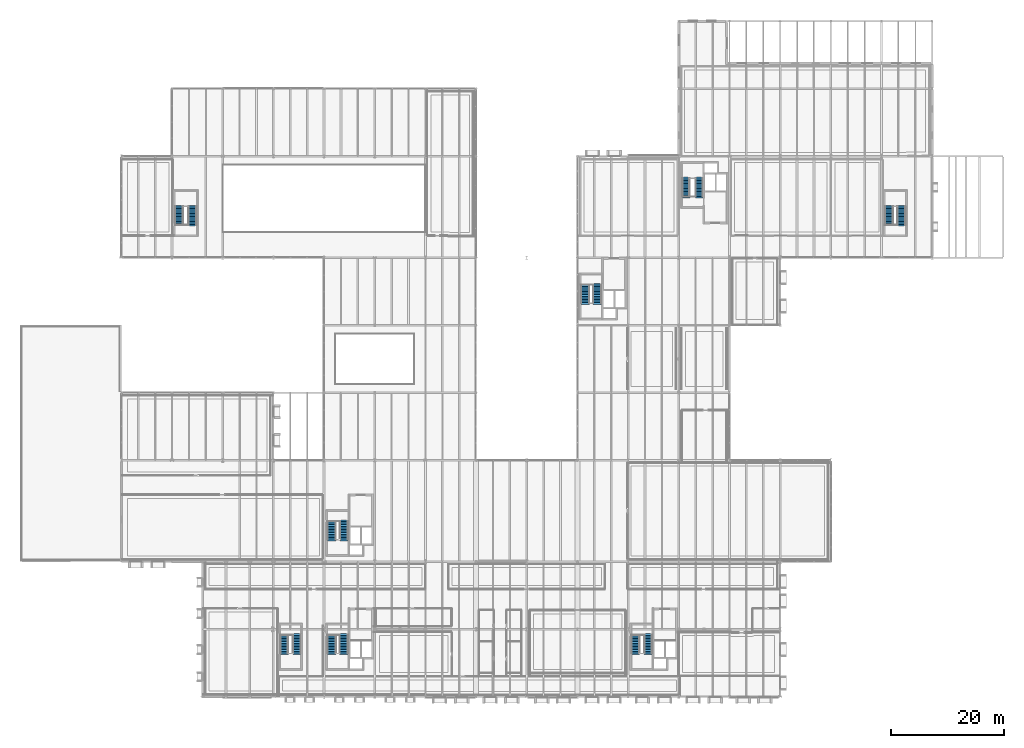
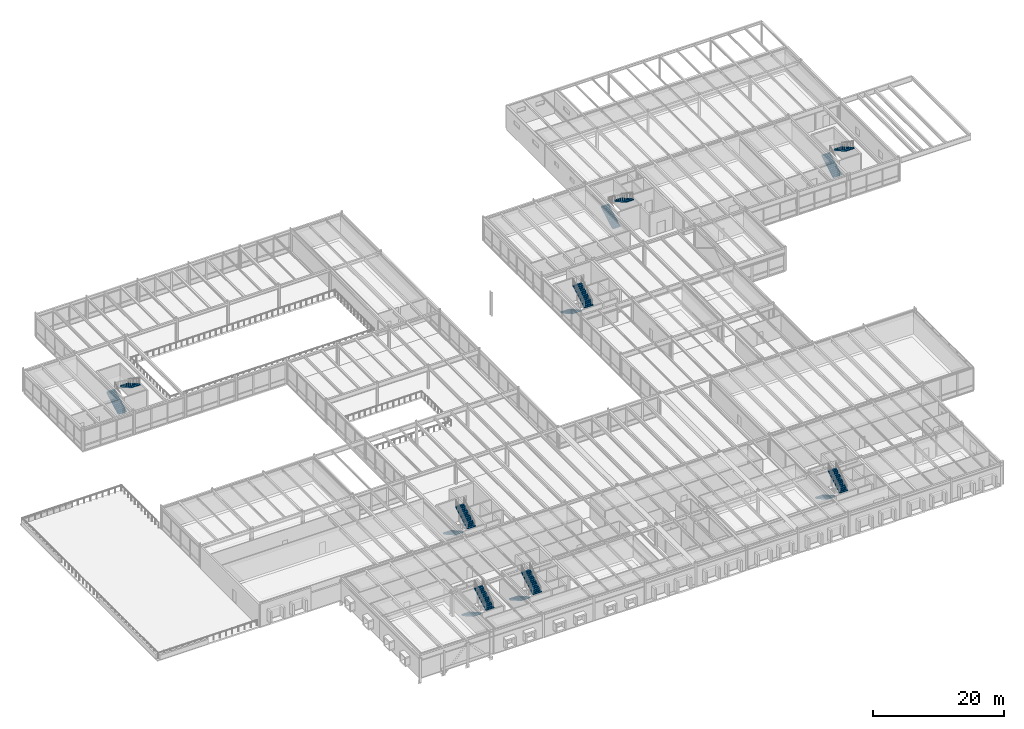
# One storey, part 118 of 127: 16 stair flights, 8 elements without a shape of their own.
"""IFC4 building model written with IfcOpenShell, lengths in metres."""

from ifc_helpers import new_model, si_unit, direction, frame, origin, place, context, subcontext, project, spatial, polyline, outline, extrude, material, type_object, element, aggregate, save


model = new_model("IFC4")

# Units and contexts
model_context = context("Model", 3, precision=1e-05, world=origin(), true_north=direction((0.0, 1.0)))
body_context = subcontext(model_context, "Body", "Model", "MODEL_VIEW")
ifc_project = project(units=[si_unit("LENGTHUNIT", "METRE"), si_unit("AREAUNIT", "SQUARE_METRE"), si_unit("VOLUMEUNIT", "CUBIC_METRE"), si_unit("PLANEANGLEUNIT", "RADIAN"), si_unit("MASSUNIT", "GRAM", prefix="KILO")], contexts=[model_context])

# Site, building, storey
site_placement = place(None, origin())
site = spatial("IfcSite", under=ifc_project, at=site_placement, CompositionType="ELEMENT")
building_placement = place(site_placement, origin())
building = spatial("IfcBuilding", under=site, at=building_placement, Name="Montelvaro Courts of Justice", CompositionType="ELEMENT")
storey_placement = place(building_placement, frame((0.0, 0.0, 5.39990234375)))
storey = spatial("IfcBuildingStorey", under=building, at=storey_placement, Name="L01", CompositionType="ELEMENT", Elevation=5.39990234375)

# Stair, stair flights
ifc_material = material(Name="Concrete C35/45", Category="concrete")
stair_type_1 = type_object("IfcStairType", Name="ProtectedStair_135", PredefinedType="HALF_TURN_STAIR", material=ifc_material)
stair_1_placement = place(storey_placement, origin())
stair_1 = element("IfcStair", 1, at=stair_1_placement, inside=storey, type_object=stair_type_1, Name="Protected Stair ST-K3-L01", PredefinedType="HALF_TURN_STAIR")
stair_flight_type_1 = type_object("IfcStairFlightType", Name="StairFlight_135", PredefinedType="STRAIGHT", material=ifc_material)
stair_flight_1_placement = place(storey_placement, frame((118.27490234375, 88.580078125, 0.0), z_axis=(0.0, 0.0, 1.0), x_axis=(0.0, 1.0, 0.0)))
stair_flight_1 = element("IfcStairFlight", 2, at=stair_flight_1_placement, type_object=stair_flight_type_1, Name="ST-K3-L01 flight 1", NumberOfRisers=14, NumberOfTreads=13, PredefinedType="STRAIGHT", RiserHeight=0.160714286, TreadLength=0.285, context=body_context, shape_type="SweptSolid", body=[
    extrude(outline(polyline([(0.0, 0.0), (0.0, 0.16064453125), (0.284912109375, 0.16064453125), (0.284912109375, 0.321533203125), (0.570068359375, 0.321533203125), (0.570068359375, 0.482177734375), (0.85498046875, 0.482177734375), (0.85498046875, 0.642822265625), (1.139892578125, 0.642822265625), (1.139892578125, 0.803466796875), (1.425048828125, 0.803466796875), (1.425048828125, 0.96435546875), (1.7099609375, 0.96435546875), (1.7099609375, 1.125), (1.9951171875, 1.125), (1.9951171875, 1.28564453125), (2.280029296875, 1.28564453125), (2.280029296875, 1.446533203125), (2.56494140625, 1.446533203125), (2.56494140625, 1.607177734375), (2.85009765625, 1.607177734375), (2.85009765625, 1.767822265625), (3.135009765625, 1.767822265625), (3.135009765625, 1.928466796875), (3.419921875, 1.928466796875), (3.419921875, 2.08935546875), (3.705078125, 2.08935546875), (3.705078125, 2.25), (3.705078125, 1.90576171875), (0.325439453125, 0.0), (0.0, 0.0)])), frame((0.0, 0.675048828125, 0.0), z_axis=(0.0, -1.0, 0.0), x_axis=(1.0, 0.0, 0.0)), (0.0, 0.0, 1.0), 1.35009765625),
])
stair_flight_2_placement = place(storey_placement, frame((120.625, 92.284912109375, 2.25), z_axis=(0.0, 0.0, 1.0), x_axis=(0.0, -1.0, 0.0)))
stair_flight_2 = element("IfcStairFlight", 3, at=stair_flight_2_placement, type_object=stair_flight_type_1, Name="ST-K3-L01 flight 2", NumberOfRisers=14, NumberOfTreads=13, PredefinedType="STRAIGHT", RiserHeight=0.160714286, TreadLength=0.285, context=body_context, shape_type="SweptSolid", body=[
    extrude(outline(polyline([(0.0, 0.0), (0.0, 0.16064453125), (0.284912109375, 0.16064453125), (0.284912109375, 0.321533203125), (0.570068359375, 0.321533203125), (0.570068359375, 0.482177734375), (0.85498046875, 0.482177734375), (0.85498046875, 0.642822265625), (1.139892578125, 0.642822265625), (1.139892578125, 0.803466796875), (1.425048828125, 0.803466796875), (1.425048828125, 0.96435546875), (1.7099609375, 0.96435546875), (1.7099609375, 1.125), (1.9951171875, 1.125), (1.9951171875, 1.28564453125), (2.280029296875, 1.28564453125), (2.280029296875, 1.446533203125), (2.56494140625, 1.446533203125), (2.56494140625, 1.607177734375), (2.85009765625, 1.607177734375), (2.85009765625, 1.767822265625), (3.135009765625, 1.767822265625), (3.135009765625, 1.928466796875), (3.419921875, 1.928466796875), (3.419921875, 2.08935546875), (3.705078125, 2.08935546875), (3.705078125, 2.25), (3.705078125, 1.90576171875), (0.325439453125, 0.0), (0.0, 0.0)])), frame((0.0, 0.675048828125, 0.0), z_axis=(0.0, -1.0, 0.0), x_axis=(1.0, 0.0, 0.0)), (0.0, 0.0, 1.0), 1.35009765625),
])
aggregate(stair_1, [stair_flight_1, stair_flight_2])

stair_type_2 = type_object("IfcStairType", Name="ProtectedStair_145", PredefinedType="HALF_TURN_STAIR", material=ifc_material)
stair_2_placement = place(storey_placement, origin())
stair_2 = element("IfcStair", 4, at=stair_2_placement, inside=storey, type_object=stair_type_2, Name="Protected Stair ST-K2-L01", PredefinedType="HALF_TURN_STAIR")
stair_flight_type_2 = type_object("IfcStairFlightType", Name="StairFlight_145", PredefinedType="STRAIGHT", material=ifc_material)
stair_flight_3_placement = place(storey_placement, frame((109.324951171875, 11.219970703125, 0.0), z_axis=(0.0, 0.0, 1.0), x_axis=(0.0, -1.0, 0.0)))
stair_flight_3 = element("IfcStairFlight", 5, at=stair_flight_3_placement, type_object=stair_flight_type_2, Name="ST-K2-L01 flight 1", NumberOfRisers=14, NumberOfTreads=13, PredefinedType="STRAIGHT", RiserHeight=0.160714286, TreadLength=0.285, context=body_context, shape_type="SweptSolid", body=[
    extrude(outline(polyline([(0.0, 0.0), (0.0, 0.16064453125), (0.284912109375, 0.16064453125), (0.284912109375, 0.321533203125), (0.570068359375, 0.321533203125), (0.570068359375, 0.482177734375), (0.85498046875, 0.482177734375), (0.85498046875, 0.642822265625), (1.139892578125, 0.642822265625), (1.139892578125, 0.803466796875), (1.425048828125, 0.803466796875), (1.425048828125, 0.96435546875), (1.7099609375, 0.96435546875), (1.7099609375, 1.125), (1.9951171875, 1.125), (1.9951171875, 1.28564453125), (2.280029296875, 1.28564453125), (2.280029296875, 1.446533203125), (2.56494140625, 1.446533203125), (2.56494140625, 1.607177734375), (2.85009765625, 1.607177734375), (2.85009765625, 1.767822265625), (3.135009765625, 1.767822265625), (3.135009765625, 1.928466796875), (3.419921875, 1.928466796875), (3.419921875, 2.08935546875), (3.705078125, 2.08935546875), (3.705078125, 2.25), (3.705078125, 1.90576171875), (0.325439453125, 0.0), (0.0, 0.0)])), frame((0.0, 0.72509765625, 0.0), z_axis=(0.0, -1.0, 0.0), x_axis=(1.0, 0.0, 0.0)), (0.0, 0.0, 1.0), 1.449951171875),
])
stair_flight_4_placement = place(storey_placement, frame((111.574951171875, 7.514892578125, 2.25), z_axis=(0.0, 0.0, 1.0), x_axis=(0.0, 1.0, 0.0)))
stair_flight_4 = element("IfcStairFlight", 6, at=stair_flight_4_placement, type_object=stair_flight_type_2, Name="ST-K2-L01 flight 2", NumberOfRisers=14, NumberOfTreads=13, PredefinedType="STRAIGHT", RiserHeight=0.160714286, TreadLength=0.285, context=body_context, shape_type="SweptSolid", body=[
    extrude(outline(polyline([(0.0, 0.0), (0.0, 0.16064453125), (0.284912109375, 0.16064453125), (0.284912109375, 0.321533203125), (0.570068359375, 0.321533203125), (0.570068359375, 0.482177734375), (0.85498046875, 0.482177734375), (0.85498046875, 0.642822265625), (1.139892578125, 0.642822265625), (1.139892578125, 0.803466796875), (1.425048828125, 0.803466796875), (1.425048828125, 0.96435546875), (1.7099609375, 0.96435546875), (1.7099609375, 1.125), (1.9951171875, 1.125), (1.9951171875, 1.28564453125), (2.280029296875, 1.28564453125), (2.280029296875, 1.446533203125), (2.56494140625, 1.446533203125), (2.56494140625, 1.607177734375), (2.85009765625, 1.607177734375), (2.85009765625, 1.767822265625), (3.135009765625, 1.767822265625), (3.135009765625, 1.928466796875), (3.419921875, 1.928466796875), (3.419921875, 2.08935546875), (3.705078125, 2.08935546875), (3.705078125, 2.25), (3.705078125, 1.90576171875), (0.325439453125, 0.0), (0.0, 0.0)])), frame((0.0, 0.72509765625, 0.0), z_axis=(0.0, -1.0, 0.0), x_axis=(1.0, 0.0, 0.0)), (0.0, 0.0, 1.0), 1.449951171875),
])
aggregate(stair_2, [stair_flight_3, stair_flight_4])

stair_3_placement = place(storey_placement, origin())
stair_3 = element("IfcStair", 7, at=stair_3_placement, inside=storey, type_object=stair_type_2, Name="Protected Stair ST-E1-L01", PredefinedType="HALF_TURN_STAIR")
stair_flight_5_placement = place(storey_placement, frame((46.925048828125, 11.219970703125, 0.0), z_axis=(0.0, 0.0, 1.0), x_axis=(0.0, -1.0, 0.0)))
stair_flight_5 = element("IfcStairFlight", 8, at=stair_flight_5_placement, type_object=stair_flight_type_2, Name="ST-E1-L01 flight 1", NumberOfRisers=14, NumberOfTreads=13, PredefinedType="STRAIGHT", RiserHeight=0.160714286, TreadLength=0.285, context=body_context, shape_type="SweptSolid", body=[
    extrude(outline(polyline([(0.0, 0.0), (0.0, 0.16064453125), (0.284912109375, 0.16064453125), (0.284912109375, 0.321533203125), (0.570068359375, 0.321533203125), (0.570068359375, 0.482177734375), (0.85498046875, 0.482177734375), (0.85498046875, 0.642822265625), (1.139892578125, 0.642822265625), (1.139892578125, 0.803466796875), (1.425048828125, 0.803466796875), (1.425048828125, 0.96435546875), (1.7099609375, 0.96435546875), (1.7099609375, 1.125), (1.9951171875, 1.125), (1.9951171875, 1.28564453125), (2.280029296875, 1.28564453125), (2.280029296875, 1.446533203125), (2.56494140625, 1.446533203125), (2.56494140625, 1.607177734375), (2.85009765625, 1.607177734375), (2.85009765625, 1.767822265625), (3.135009765625, 1.767822265625), (3.135009765625, 1.928466796875), (3.419921875, 1.928466796875), (3.419921875, 2.08935546875), (3.705078125, 2.08935546875), (3.705078125, 2.25), (3.705078125, 1.90576171875), (0.325439453125, 0.0), (0.0, 0.0)])), frame((0.0, 0.72509765625, 0.0), z_axis=(0.0, -1.0, 0.0), x_axis=(1.0, 0.0, 0.0)), (0.0, 0.0, 1.0), 1.449951171875),
])
stair_flight_6_placement = place(storey_placement, frame((49.175048828125, 7.514892578125, 2.25), z_axis=(0.0, 0.0, 1.0), x_axis=(0.0, 1.0, 0.0)))
stair_flight_6 = element("IfcStairFlight", 9, at=stair_flight_6_placement, type_object=stair_flight_type_2, Name="ST-E1-L01 flight 2", NumberOfRisers=14, NumberOfTreads=13, PredefinedType="STRAIGHT", RiserHeight=0.160714286, TreadLength=0.285, context=body_context, shape_type="SweptSolid", body=[
    extrude(outline(polyline([(0.0, 0.0), (0.0, 0.16064453125), (0.284912109375, 0.16064453125), (0.284912109375, 0.321533203125), (0.570068359375, 0.321533203125), (0.570068359375, 0.482177734375), (0.85498046875, 0.482177734375), (0.85498046875, 0.642822265625), (1.139892578125, 0.642822265625), (1.139892578125, 0.803466796875), (1.425048828125, 0.803466796875), (1.425048828125, 0.96435546875), (1.7099609375, 0.96435546875), (1.7099609375, 1.125), (1.9951171875, 1.125), (1.9951171875, 1.28564453125), (2.280029296875, 1.28564453125), (2.280029296875, 1.446533203125), (2.56494140625, 1.446533203125), (2.56494140625, 1.607177734375), (2.85009765625, 1.607177734375), (2.85009765625, 1.767822265625), (3.135009765625, 1.767822265625), (3.135009765625, 1.928466796875), (3.419921875, 1.928466796875), (3.419921875, 2.08935546875), (3.705078125, 2.08935546875), (3.705078125, 2.25), (3.705078125, 1.90576171875), (0.325439453125, 0.0), (0.0, 0.0)])), frame((0.0, 0.72509765625, 0.0), z_axis=(0.0, -1.0, 0.0), x_axis=(1.0, 0.0, 0.0)), (0.0, 0.0, 1.0), 1.449951171875),
])
aggregate(stair_3, [stair_flight_5, stair_flight_6])

stair_type_3 = type_object("IfcStairType", Name="ProtectedStair_150", PredefinedType="HALF_TURN_STAIR", material=ifc_material)
stair_4_placement = place(storey_placement, origin())
stair_4 = element("IfcStair", 10, at=stair_4_placement, inside=storey, type_object=stair_type_3, Name="Protected Stair ST-W1-L01", PredefinedType="HALF_TURN_STAIR")
stair_flight_type_3 = type_object("IfcStairFlightType", Name="StairFlight_150", PredefinedType="STRAIGHT", material=ifc_material)
stair_flight_7_placement = place(storey_placement, frame((55.35009765625, 31.419921875, 0.0), z_axis=(0.0, 0.0, 1.0), x_axis=(0.0, -1.0, 0.0)))
stair_flight_7 = element("IfcStairFlight", 11, at=stair_flight_7_placement, type_object=stair_flight_type_3, Name="ST-W1-L01 flight 1", NumberOfRisers=14, NumberOfTreads=13, PredefinedType="STRAIGHT", RiserHeight=0.160714286, TreadLength=0.285, context=body_context, shape_type="SweptSolid", body=[
    extrude(outline(polyline([(0.0, 0.0), (0.0, 0.16064453125), (0.284912109375, 0.16064453125), (0.284912109375, 0.321533203125), (0.570068359375, 0.321533203125), (0.570068359375, 0.482177734375), (0.85498046875, 0.482177734375), (0.85498046875, 0.642822265625), (1.139892578125, 0.642822265625), (1.139892578125, 0.803466796875), (1.425048828125, 0.803466796875), (1.425048828125, 0.96435546875), (1.7099609375, 0.96435546875), (1.7099609375, 1.125), (1.9951171875, 1.125), (1.9951171875, 1.28564453125), (2.280029296875, 1.28564453125), (2.280029296875, 1.446533203125), (2.56494140625, 1.446533203125), (2.56494140625, 1.607177734375), (2.85009765625, 1.607177734375), (2.85009765625, 1.767822265625), (3.135009765625, 1.767822265625), (3.135009765625, 1.928466796875), (3.419921875, 1.928466796875), (3.419921875, 2.08935546875), (3.705078125, 2.08935546875), (3.705078125, 2.25), (3.705078125, 1.90576171875), (0.325439453125, 0.0), (0.0, 0.0)])), frame((0.0, 0.75, 0.0), z_axis=(0.0, -1.0, 0.0), x_axis=(1.0, 0.0, 0.0)), (0.0, 0.0, 1.0), 1.5),
])
stair_flight_8_placement = place(storey_placement, frame((57.550048828125, 27.715087890625, 2.25), z_axis=(0.0, 0.0, 1.0), x_axis=(0.0, 1.0, 0.0)))
stair_flight_8 = element("IfcStairFlight", 12, at=stair_flight_8_placement, type_object=stair_flight_type_3, Name="ST-W1-L01 flight 2", NumberOfRisers=14, NumberOfTreads=13, PredefinedType="STRAIGHT", RiserHeight=0.160714286, TreadLength=0.285, context=body_context, shape_type="SweptSolid", body=[
    extrude(outline(polyline([(0.0, 0.0), (0.0, 0.16064453125), (0.284912109375, 0.16064453125), (0.284912109375, 0.321533203125), (0.570068359375, 0.321533203125), (0.570068359375, 0.482177734375), (0.85498046875, 0.482177734375), (0.85498046875, 0.642822265625), (1.139892578125, 0.642822265625), (1.139892578125, 0.803466796875), (1.425048828125, 0.803466796875), (1.425048828125, 0.96435546875), (1.7099609375, 0.96435546875), (1.7099609375, 1.125), (1.9951171875, 1.125), (1.9951171875, 1.28564453125), (2.280029296875, 1.28564453125), (2.280029296875, 1.446533203125), (2.56494140625, 1.446533203125), (2.56494140625, 1.607177734375), (2.85009765625, 1.607177734375), (2.85009765625, 1.767822265625), (3.135009765625, 1.767822265625), (3.135009765625, 1.928466796875), (3.419921875, 1.928466796875), (3.419921875, 2.08935546875), (3.705078125, 2.08935546875), (3.705078125, 2.25), (3.705078125, 1.90576171875), (0.325439453125, 0.0), (0.0, 0.0)])), frame((0.0, 0.75, 0.0), z_axis=(0.0, -1.0, 0.0), x_axis=(1.0, 0.0, 0.0)), (0.0, 0.0, 1.0), 1.5),
])
aggregate(stair_4, [stair_flight_7, stair_flight_8])

stair_5_placement = place(storey_placement, origin())
stair_5 = element("IfcStair", 13, at=stair_5_placement, inside=storey, type_object=stair_type_3, Name="Protected Stair ST-P1-L01", PredefinedType="HALF_TURN_STAIR")
stair_flight_9_placement = place(storey_placement, frame((28.25, 83.580078125, 0.0), z_axis=(0.0, 0.0, 1.0), x_axis=(0.0, 1.0, 0.0)))
stair_flight_9 = element("IfcStairFlight", 14, at=stair_flight_9_placement, type_object=stair_flight_type_3, Name="ST-P1-L01 flight 1", NumberOfRisers=14, NumberOfTreads=13, PredefinedType="STRAIGHT", RiserHeight=0.160714286, TreadLength=0.285, context=body_context, shape_type="SweptSolid", body=[
    extrude(outline(polyline([(0.0, 0.0), (0.0, 0.16064453125), (0.284912109375, 0.16064453125), (0.284912109375, 0.321533203125), (0.570068359375, 0.321533203125), (0.570068359375, 0.482177734375), (0.85498046875, 0.482177734375), (0.85498046875, 0.642822265625), (1.139892578125, 0.642822265625), (1.139892578125, 0.803466796875), (1.425048828125, 0.803466796875), (1.425048828125, 0.96435546875), (1.7099609375, 0.96435546875), (1.7099609375, 1.125), (1.9951171875, 1.125), (1.9951171875, 1.28564453125), (2.280029296875, 1.28564453125), (2.280029296875, 1.446533203125), (2.56494140625, 1.446533203125), (2.56494140625, 1.607177734375), (2.85009765625, 1.607177734375), (2.85009765625, 1.767822265625), (3.135009765625, 1.767822265625), (3.135009765625, 1.928466796875), (3.419921875, 1.928466796875), (3.419921875, 2.08935546875), (3.705078125, 2.08935546875), (3.705078125, 2.25), (3.705078125, 1.90576171875), (0.325439453125, 0.0), (0.0, 0.0)])), frame((0.0, 0.75, 0.0), z_axis=(0.0, -1.0, 0.0), x_axis=(1.0, 0.0, 0.0)), (0.0, 0.0, 1.0), 1.5),
])
stair_flight_10_placement = place(storey_placement, frame((30.64990234375, 87.284912109375, 2.25), z_axis=(0.0, 0.0, 1.0), x_axis=(0.0, -1.0, 0.0)))
stair_flight_10 = element("IfcStairFlight", 15, at=stair_flight_10_placement, type_object=stair_flight_type_3, Name="ST-P1-L01 flight 2", NumberOfRisers=14, NumberOfTreads=13, PredefinedType="STRAIGHT", RiserHeight=0.160714286, TreadLength=0.285, context=body_context, shape_type="SweptSolid", body=[
    extrude(outline(polyline([(0.0, 0.0), (0.0, 0.16064453125), (0.284912109375, 0.16064453125), (0.284912109375, 0.321533203125), (0.570068359375, 0.321533203125), (0.570068359375, 0.482177734375), (0.85498046875, 0.482177734375), (0.85498046875, 0.642822265625), (1.139892578125, 0.642822265625), (1.139892578125, 0.803466796875), (1.425048828125, 0.803466796875), (1.425048828125, 0.96435546875), (1.7099609375, 0.96435546875), (1.7099609375, 1.125), (1.9951171875, 1.125), (1.9951171875, 1.28564453125), (2.280029296875, 1.28564453125), (2.280029296875, 1.446533203125), (2.56494140625, 1.446533203125), (2.56494140625, 1.607177734375), (2.85009765625, 1.607177734375), (2.85009765625, 1.767822265625), (3.135009765625, 1.767822265625), (3.135009765625, 1.928466796875), (3.419921875, 1.928466796875), (3.419921875, 2.08935546875), (3.705078125, 2.08935546875), (3.705078125, 2.25), (3.705078125, 1.90576171875), (0.325439453125, 0.0), (0.0, 0.0)])), frame((0.0, 0.75, 0.0), z_axis=(0.0, -1.0, 0.0), x_axis=(1.0, 0.0, 0.0)), (0.0, 0.0, 1.0), 1.5),
])
aggregate(stair_5, [stair_flight_9, stair_flight_10])

stair_6_placement = place(storey_placement, origin())
stair_6 = element("IfcStair", 16, at=stair_6_placement, inside=storey, type_object=stair_type_3, Name="Protected Stair ST-V2-L01", PredefinedType="HALF_TURN_STAIR")
stair_flight_11_placement = place(storey_placement, frame((154.35009765625, 83.580078125, 0.0), z_axis=(0.0, 0.0, 1.0), x_axis=(0.0, 1.0, 0.0)))
stair_flight_11 = element("IfcStairFlight", 17, at=stair_flight_11_placement, type_object=stair_flight_type_3, Name="ST-V2-L01 flight 1", NumberOfRisers=14, NumberOfTreads=13, PredefinedType="STRAIGHT", RiserHeight=0.160714286, TreadLength=0.285, context=body_context, shape_type="SweptSolid", body=[
    extrude(outline(polyline([(0.0, 0.0), (0.0, 0.16064453125), (0.284912109375, 0.16064453125), (0.284912109375, 0.321533203125), (0.570068359375, 0.321533203125), (0.570068359375, 0.482177734375), (0.85498046875, 0.482177734375), (0.85498046875, 0.642822265625), (1.139892578125, 0.642822265625), (1.139892578125, 0.803466796875), (1.425048828125, 0.803466796875), (1.425048828125, 0.96435546875), (1.7099609375, 0.96435546875), (1.7099609375, 1.125), (1.9951171875, 1.125), (1.9951171875, 1.28564453125), (2.280029296875, 1.28564453125), (2.280029296875, 1.446533203125), (2.56494140625, 1.446533203125), (2.56494140625, 1.607177734375), (2.85009765625, 1.607177734375), (2.85009765625, 1.767822265625), (3.135009765625, 1.767822265625), (3.135009765625, 1.928466796875), (3.419921875, 1.928466796875), (3.419921875, 2.08935546875), (3.705078125, 2.08935546875), (3.705078125, 2.25), (3.705078125, 1.90576171875), (0.325439453125, 0.0), (0.0, 0.0)])), frame((0.0, 0.75, 0.0), z_axis=(0.0, -1.0, 0.0), x_axis=(1.0, 0.0, 0.0)), (0.0, 0.0, 1.0), 1.5),
])
stair_flight_12_placement = place(storey_placement, frame((156.550048828125, 87.284912109375, 2.25), z_axis=(0.0, 0.0, 1.0), x_axis=(0.0, -1.0, 0.0)))
stair_flight_12 = element("IfcStairFlight", 18, at=stair_flight_12_placement, type_object=stair_flight_type_3, Name="ST-V2-L01 flight 2", NumberOfRisers=14, NumberOfTreads=13, PredefinedType="STRAIGHT", RiserHeight=0.160714286, TreadLength=0.285, context=body_context, shape_type="SweptSolid", body=[
    extrude(outline(polyline([(0.0, 0.0), (0.0, 0.16064453125), (0.284912109375, 0.16064453125), (0.284912109375, 0.321533203125), (0.570068359375, 0.321533203125), (0.570068359375, 0.482177734375), (0.85498046875, 0.482177734375), (0.85498046875, 0.642822265625), (1.139892578125, 0.642822265625), (1.139892578125, 0.803466796875), (1.425048828125, 0.803466796875), (1.425048828125, 0.96435546875), (1.7099609375, 0.96435546875), (1.7099609375, 1.125), (1.9951171875, 1.125), (1.9951171875, 1.28564453125), (2.280029296875, 1.28564453125), (2.280029296875, 1.446533203125), (2.56494140625, 1.446533203125), (2.56494140625, 1.607177734375), (2.85009765625, 1.607177734375), (2.85009765625, 1.767822265625), (3.135009765625, 1.767822265625), (3.135009765625, 1.928466796875), (3.419921875, 1.928466796875), (3.419921875, 2.08935546875), (3.705078125, 2.08935546875), (3.705078125, 2.25), (3.705078125, 1.90576171875), (0.325439453125, 0.0), (0.0, 0.0)])), frame((0.0, 0.75, 0.0), z_axis=(0.0, -1.0, 0.0), x_axis=(1.0, 0.0, 0.0)), (0.0, 0.0, 1.0), 1.5),
])
aggregate(stair_6, [stair_flight_11, stair_flight_12])

stair_type_4 = type_object("IfcStairType", Name="ProtectedStair_155", PredefinedType="HALF_TURN_STAIR", material=ifc_material)
stair_7_placement = place(storey_placement, origin())
stair_7 = element("IfcStair", 19, at=stair_7_placement, inside=storey, type_object=stair_type_4, Name="Protected Stair ST-K1-L01", PredefinedType="HALF_TURN_STAIR")
stair_flight_type_4 = type_object("IfcStairFlightType", Name="StairFlight_155", PredefinedType="STRAIGHT", material=ifc_material)
stair_flight_13_placement = place(storey_placement, frame((55.375, 11.219970703125, 0.0), z_axis=(0.0, 0.0, 1.0), x_axis=(0.0, -1.0, 0.0)))
stair_flight_13 = element("IfcStairFlight", 20, at=stair_flight_13_placement, type_object=stair_flight_type_4, Name="ST-K1-L01 flight 1", NumberOfRisers=14, NumberOfTreads=13, PredefinedType="STRAIGHT", RiserHeight=0.160714286, TreadLength=0.285, context=body_context, shape_type="SweptSolid", body=[
    extrude(outline(polyline([(0.0, 0.0), (0.0, 0.16064453125), (0.284912109375, 0.16064453125), (0.284912109375, 0.321533203125), (0.570068359375, 0.321533203125), (0.570068359375, 0.482177734375), (0.85498046875, 0.482177734375), (0.85498046875, 0.642822265625), (1.139892578125, 0.642822265625), (1.139892578125, 0.803466796875), (1.425048828125, 0.803466796875), (1.425048828125, 0.96435546875), (1.7099609375, 0.96435546875), (1.7099609375, 1.125), (1.9951171875, 1.125), (1.9951171875, 1.28564453125), (2.280029296875, 1.28564453125), (2.280029296875, 1.446533203125), (2.56494140625, 1.446533203125), (2.56494140625, 1.607177734375), (2.85009765625, 1.607177734375), (2.85009765625, 1.767822265625), (3.135009765625, 1.767822265625), (3.135009765625, 1.928466796875), (3.419921875, 1.928466796875), (3.419921875, 2.08935546875), (3.705078125, 2.08935546875), (3.705078125, 2.25), (3.705078125, 1.90576171875), (0.325439453125, 0.0), (0.0, 0.0)])), frame((0.0, 0.77490234375, 0.0), z_axis=(0.0, -1.0, 0.0), x_axis=(1.0, 0.0, 0.0)), (0.0, 0.0, 1.0), 1.550048828125),
])
stair_flight_14_placement = place(storey_placement, frame((57.52490234375, 7.514892578125, 2.25), z_axis=(0.0, 0.0, 1.0), x_axis=(0.0, 1.0, 0.0)))
stair_flight_14 = element("IfcStairFlight", 21, at=stair_flight_14_placement, type_object=stair_flight_type_4, Name="ST-K1-L01 flight 2", NumberOfRisers=14, NumberOfTreads=13, PredefinedType="STRAIGHT", RiserHeight=0.160714286, TreadLength=0.285, context=body_context, shape_type="SweptSolid", body=[
    extrude(outline(polyline([(0.0, 0.0), (0.0, 0.16064453125), (0.284912109375, 0.16064453125), (0.284912109375, 0.321533203125), (0.570068359375, 0.321533203125), (0.570068359375, 0.482177734375), (0.85498046875, 0.482177734375), (0.85498046875, 0.642822265625), (1.139892578125, 0.642822265625), (1.139892578125, 0.803466796875), (1.425048828125, 0.803466796875), (1.425048828125, 0.96435546875), (1.7099609375, 0.96435546875), (1.7099609375, 1.125), (1.9951171875, 1.125), (1.9951171875, 1.28564453125), (2.280029296875, 1.28564453125), (2.280029296875, 1.446533203125), (2.56494140625, 1.446533203125), (2.56494140625, 1.607177734375), (2.85009765625, 1.607177734375), (2.85009765625, 1.767822265625), (3.135009765625, 1.767822265625), (3.135009765625, 1.928466796875), (3.419921875, 1.928466796875), (3.419921875, 2.08935546875), (3.705078125, 2.08935546875), (3.705078125, 2.25), (3.705078125, 1.90576171875), (0.325439453125, 0.0), (0.0, 0.0)])), frame((0.0, 0.77490234375, 0.0), z_axis=(0.0, -1.0, 0.0), x_axis=(1.0, 0.0, 0.0)), (0.0, 0.0, 1.0), 1.550048828125),
])
aggregate(stair_7, [stair_flight_13, stair_flight_14])

stair_8_placement = place(storey_placement, origin())
stair_8 = element("IfcStair", 22, at=stair_8_placement, inside=storey, type_object=stair_type_4, Name="Protected Stair ST-K4-L01", PredefinedType="HALF_TURN_STAIR")
stair_flight_15_placement = place(storey_placement, frame((100.375, 73.419921875, 0.0), z_axis=(0.0, 0.0, 1.0), x_axis=(0.0, -1.0, 0.0)))
stair_flight_15 = element("IfcStairFlight", 23, at=stair_flight_15_placement, type_object=stair_flight_type_4, Name="ST-K4-L01 flight 1", NumberOfRisers=14, NumberOfTreads=13, PredefinedType="STRAIGHT", RiserHeight=0.160714286, TreadLength=0.285, context=body_context, shape_type="SweptSolid", body=[
    extrude(outline(polyline([(0.0, 0.0), (0.0, 0.16064453125), (0.284912109375, 0.16064453125), (0.284912109375, 0.321533203125), (0.570068359375, 0.321533203125), (0.570068359375, 0.482177734375), (0.85498046875, 0.482177734375), (0.85498046875, 0.642822265625), (1.139892578125, 0.642822265625), (1.139892578125, 0.803466796875), (1.425048828125, 0.803466796875), (1.425048828125, 0.96435546875), (1.7099609375, 0.96435546875), (1.7099609375, 1.125), (1.9951171875, 1.125), (1.9951171875, 1.28564453125), (2.280029296875, 1.28564453125), (2.280029296875, 1.446533203125), (2.56494140625, 1.446533203125), (2.56494140625, 1.607177734375), (2.85009765625, 1.607177734375), (2.85009765625, 1.767822265625), (3.135009765625, 1.767822265625), (3.135009765625, 1.928466796875), (3.419921875, 1.928466796875), (3.419921875, 2.08935546875), (3.705078125, 2.08935546875), (3.705078125, 2.25), (3.705078125, 1.90576171875), (0.325439453125, 0.0), (0.0, 0.0)])), frame((0.0, 0.77490234375, 0.0), z_axis=(0.0, -1.0, 0.0), x_axis=(1.0, 0.0, 0.0)), (0.0, 0.0, 1.0), 1.550048828125),
])
stair_flight_16_placement = place(storey_placement, frame((102.52490234375, 69.715087890625, 2.25), z_axis=(0.0, 0.0, 1.0), x_axis=(0.0, 1.0, 0.0)))
stair_flight_16 = element("IfcStairFlight", 24, at=stair_flight_16_placement, type_object=stair_flight_type_4, Name="ST-K4-L01 flight 2", NumberOfRisers=14, NumberOfTreads=13, PredefinedType="STRAIGHT", RiserHeight=0.160714286, TreadLength=0.285, context=body_context, shape_type="SweptSolid", body=[
    extrude(outline(polyline([(0.0, 0.0), (0.0, 0.16064453125), (0.284912109375, 0.16064453125), (0.284912109375, 0.321533203125), (0.570068359375, 0.321533203125), (0.570068359375, 0.482177734375), (0.85498046875, 0.482177734375), (0.85498046875, 0.642822265625), (1.139892578125, 0.642822265625), (1.139892578125, 0.803466796875), (1.425048828125, 0.803466796875), (1.425048828125, 0.96435546875), (1.7099609375, 0.96435546875), (1.7099609375, 1.125), (1.9951171875, 1.125), (1.9951171875, 1.28564453125), (2.280029296875, 1.28564453125), (2.280029296875, 1.446533203125), (2.56494140625, 1.446533203125), (2.56494140625, 1.607177734375), (2.85009765625, 1.607177734375), (2.85009765625, 1.767822265625), (3.135009765625, 1.767822265625), (3.135009765625, 1.928466796875), (3.419921875, 1.928466796875), (3.419921875, 2.08935546875), (3.705078125, 2.08935546875), (3.705078125, 2.25), (3.705078125, 1.90576171875), (0.325439453125, 0.0), (0.0, 0.0)])), frame((0.0, 0.77490234375, 0.0), z_axis=(0.0, -1.0, 0.0), x_axis=(1.0, 0.0, 0.0)), (0.0, 0.0, 1.0), 1.550048828125),
])
aggregate(stair_8, [stair_flight_15, stair_flight_16])

save(model, "model.ifc")
